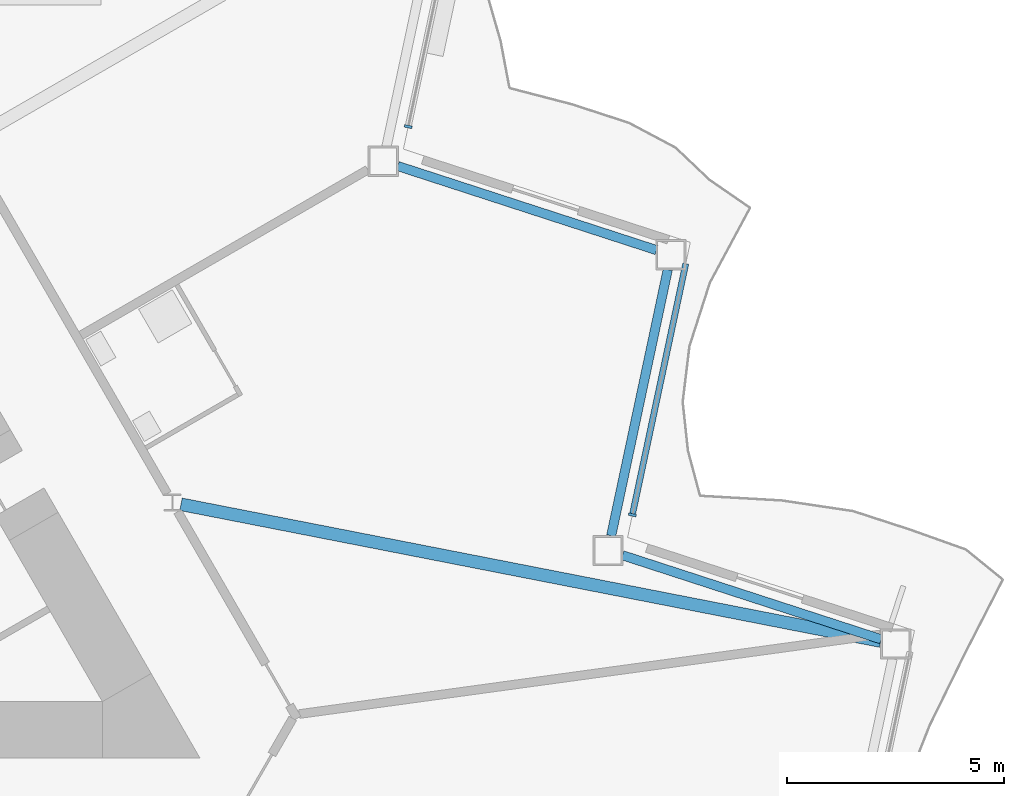
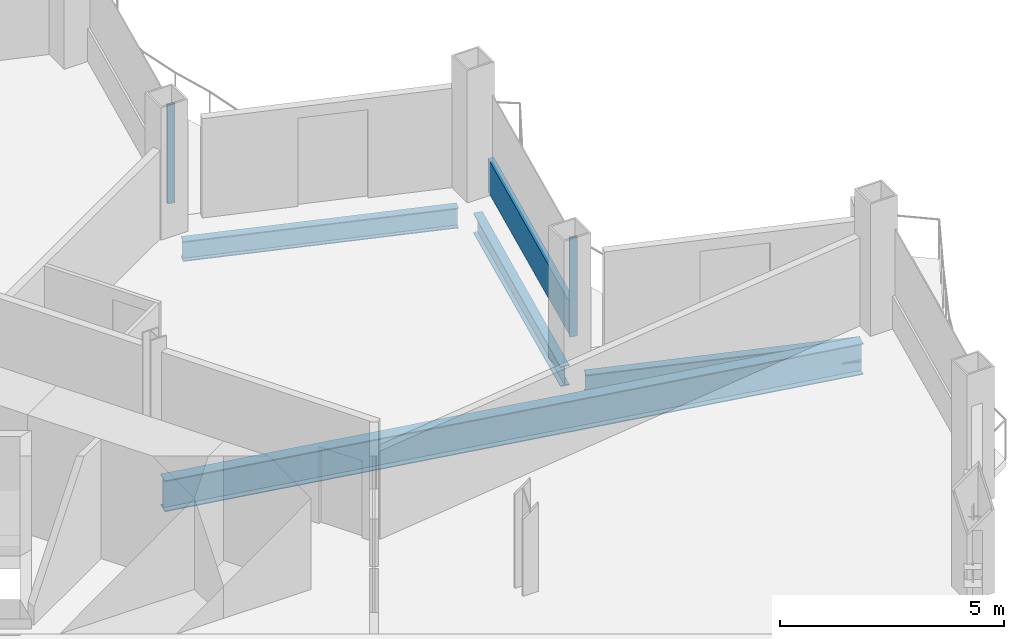
# One storey, part 7 of 23: 4 beams, 3 members, 2 elements without a shape of their own.
"""IFC4 building model written with IfcOpenShell, lengths in metres."""

import ifcopenshell
import ifcopenshell.guid

model = None  # the IFC model being written
_history = None  # IfcOwnerHistory: only IFC2X3 demands one
_inside = {}  # id of a spatial element -> (the spatial element, [elements in it])
_under = {}  # id of a project, library or spatial element -> (it, [spatial elements below it])
_declared = {}  # id of a project -> (the project, [libraries it declares])
_typed = {}  # id of a type object -> (the type object, [elements of that type])
_made_of = {}  # id of a material, layer set ... -> (it, [elements and type objects made of it])


def new_model(schema):
    """Start an empty IFC model of exactly this schema.

    Asked for "IFC4X3", IfcOpenShell would pick the latest addendum, in which some entities
    have other attributes; the version numbers below select the first issue.
    IFC2X3 requires an IfcOwnerHistory on every rooted entity: one is made here for all.
    """
    global model, _history
    if schema == "IFC4X3":
        model = ifcopenshell.file(schema_version=(4, 3, 0, 0))
    else:
        model = ifcopenshell.file(schema=schema)
    _inside.clear()
    _under.clear()
    _declared.clear()
    _typed.clear()
    _made_of.clear()
    _history = None
    if model.schema == "IFC2X3":
        org = make("IfcOrganization", Name="unknown")
        user = make(
            "IfcPersonAndOrganization",
            ThePerson=make("IfcPerson", FamilyName="unknown"),
            TheOrganization=org,
        )
        app = make(
            "IfcApplication",
            ApplicationDeveloper=org,
            Version="unknown",
            ApplicationFullName="unknown",
            ApplicationIdentifier="unknown",
        )
        _history = make(
            "IfcOwnerHistory",
            OwningUser=user,
            OwningApplication=app,
            ChangeAction="ADDED",
            CreationDate=0,
        )
    return model


def make(cls, **values):
    """One entity of the class cls with the attributes given. An attribute that is None is left unset."""
    return model.create_entity(
        cls, **{name: value for name, value in values.items() if value is not None}
    )


def rooted(cls, **values):
    """An entity with a GlobalId (a new one), such as an element, a storey or a relation."""
    return make(cls, GlobalId=ifcopenshell.guid.new(), OwnerHistory=_history, **values)


def si_unit(unit_type, name, prefix=None):
    """IfcSIUnit, for example si_unit("LENGTHUNIT", "METRE", prefix="MILLI")."""
    return make("IfcSIUnit", UnitType=unit_type, Prefix=prefix, Name=name)


def assignment(units):
    """IfcUnitAssignment: the units of a project."""
    return None if units is None else make("IfcUnitAssignment", Units=units)


def point(xyz):
    """IfcCartesianPoint."""
    return None if xyz is None else make("IfcCartesianPoint", Coordinates=xyz)


def direction(xyz):
    """IfcDirection."""
    return None if xyz is None else make("IfcDirection", DirectionRatios=xyz)


def frame(location, z_axis=None, x_axis=None):
    """IfcAxis2Placement3D, a coordinate frame: its origin and axes. An axis left out is left unset."""
    return make(
        "IfcAxis2Placement3D",
        Location=point(location),
        Axis=direction(z_axis),
        RefDirection=direction(x_axis),
    )


def frame_2d(location, x_axis=None):
    """IfcAxis2Placement2D, a coordinate frame in the plane: its origin and x axis."""
    return make(
        "IfcAxis2Placement2D", Location=point(location), RefDirection=direction(x_axis)
    )


def origin():
    """The frame at (0, 0, 0) with its axes left unset."""
    return frame((0.0, 0.0, 0.0))


def origin_2d():
    """The frame at (0, 0) in the plane with its x axis left unset."""
    return frame_2d((0.0, 0.0))


def place(relative_to, where):
    """IfcLocalPlacement: puts the frame where relative to a parent placement (None: the world)."""
    return make(
        "IfcLocalPlacement", PlacementRelTo=relative_to, RelativePlacement=where
    )


def context(
    kind, dimensions, precision=None, world=None, true_north=None, identifier=None
):
    """IfcGeometricRepresentationContext, for example the 3D "Model" context."""
    return make(
        "IfcGeometricRepresentationContext",
        ContextIdentifier=identifier,
        ContextType=kind,
        CoordinateSpaceDimension=dimensions,
        Precision=precision,
        WorldCoordinateSystem=world,
        TrueNorth=true_north,
    )


def subcontext(parent, identifier, kind, view, scale=None):
    """IfcGeometricRepresentationSubContext, for example "Body" below "Model"."""
    return make(
        "IfcGeometricRepresentationSubContext",
        ContextIdentifier=identifier,
        ContextType=kind,
        ParentContext=parent,
        TargetScale=scale,
        TargetView=view,
    )


def project(units=None, contexts=None):
    """IfcProject with its units and contexts."""
    return rooted(
        "IfcProject",
        Name="project",
        RepresentationContexts=contexts,
        UnitsInContext=assignment(units),
    )


def spatial(cls, under=None, at=None, **own):
    """A site, building, storey or space (cls), placed at a placement, below another one or the project."""
    s = rooted(cls, ObjectPlacement=at, **own)
    if under is not None:
        _under.setdefault(under.id(), (under, []))[1].append(s)
    return s


def profile(cls, at=None, kind="AREA", **sizes):
    """A parametric profile (cls). Its sizes go by their IFC names, for example OverallWidth=200.0."""
    return make(cls, ProfileType=kind, Position=at, **sizes)


def rectangle(**sizes):
    """IfcRectangleProfileDef."""
    return profile("IfcRectangleProfileDef", **sizes)


def i_section(**sizes):
    """IfcIShapeProfileDef."""
    return profile("IfcIShapeProfileDef", **sizes)


def extrude(swept, where, along, depth):
    """IfcExtrudedAreaSolid: the profile swept, set in the frame where, extruded along a direction by depth."""
    return make(
        "IfcExtrudedAreaSolid",
        SweptArea=swept,
        Position=where,
        ExtrudedDirection=direction(along),
        Depth=depth,
    )


def shape(context_of_items, identifier, shape_type, items):
    """IfcShapeRepresentation: the items that make up one representation, for example the "Body"."""
    return make(
        "IfcShapeRepresentation",
        ContextOfItems=context_of_items,
        RepresentationIdentifier=identifier,
        RepresentationType=shape_type,
        Items=items,
    )


def material(Name=None, Category=None):
    """IfcMaterial."""
    return make("IfcMaterial", Name=Name, Category=Category)


def layer(
    of_material, thickness, ventilated=None, Name=None, Category=None, Priority=None
):
    """IfcMaterialLayer: one layer of a wall or slab, of a material (None: an air gap)."""
    return make(
        "IfcMaterialLayer",
        Material=of_material,
        LayerThickness=thickness,
        IsVentilated=ventilated,
        Name=Name,
        Category=Category,
        Priority=Priority,
    )


def layer_set(layers, Name=None):
    """IfcMaterialLayerSet."""
    return make("IfcMaterialLayerSet", MaterialLayers=layers, LayerSetName=Name)


def material_profile(
    of_material, cross_section, Name=None, Category=None, Priority=None
):
    """IfcMaterialProfile: a cross section and its material."""
    return make(
        "IfcMaterialProfile",
        Name=Name,
        Material=of_material,
        Profile=cross_section,
        Priority=Priority,
        Category=Category,
    )


def profile_set(profiles, Name=None, composite=None):
    """IfcMaterialProfileSet."""
    return make(
        "IfcMaterialProfileSet",
        Name=Name,
        MaterialProfiles=profiles,
        CompositeProfile=composite,
    )


def made_of(thing, what):
    """Note that an element or type object is made of a material, layer set ...; save() writes the relation."""
    if what is not None:
        _made_of.setdefault(what.id(), (what, []))[1].append(thing)
    return thing


def type_object(cls, material=None, **own):
    """A type object (cls), such as IfcWallType, which elements share."""
    return made_of(rooted(cls, **own), material)


def element(
    cls,
    number,
    at=None,
    inside=None,
    cuts=None,
    type_object=None,
    material=None,
    context=None,
    identifier="Body",
    shape_type=None,
    held_by="IfcProductDefinitionShape",
    body=None,
    shapes=None,
    **own,
):
    """One element of the class cls, such as IfcWall. Its Tag is "e" and its number.

    at: its placement. inside: the storey or other place that contains it. cuts: it is an
    opening in that element (IfcRelVoidsElement). A single representation is given by context,
    identifier, shape_type and body (its items); several are given by shapes. held_by: the class
    of the entity that holds the representations. save() writes the other relations.
    """
    e = rooted(cls, Tag="e%d" % number, ObjectPlacement=at, **own)
    if body is not None:
        shapes = [shape(context, identifier, shape_type, body)]
    if shapes is not None:
        e.Representation = make(held_by, Representations=shapes)
    if inside is not None:
        _inside.setdefault(inside.id(), (inside, []))[1].append(e)
    if cuts is not None:
        rooted(
            "IfcRelVoidsElement", RelatingBuildingElement=cuts, RelatedOpeningElement=e
        )
    if type_object is not None:
        _typed.setdefault(type_object.id(), (type_object, []))[1].append(e)
    return made_of(e, material)


def aggregate(whole, parts):
    """IfcRelAggregates: a whole, such as a stair, and the parts it consists of."""
    return rooted("IfcRelAggregates", RelatingObject=whole, RelatedObjects=parts)


def save(model, path):
    """Write the relations noted so far, then the file.

    IfcRelAggregates (storeys below a building ...), IfcRelContainedInSpatialStructure (elements
    in a storey), IfcRelDefinesByType, IfcRelAssociatesMaterial and IfcRelDeclares: one each for
    every whole, place, type object, material and project.
    """
    for whole, parts in _under.values():
        aggregate(whole, parts)
    for where, things in _inside.values():
        rooted(
            "IfcRelContainedInSpatialStructure",
            RelatedElements=things,
            RelatingStructure=where,
        )
    for kind, things in _typed.values():
        rooted("IfcRelDefinesByType", RelatedObjects=things, RelatingType=kind)
    for what, things in _made_of.values():
        rooted("IfcRelAssociatesMaterial", RelatedObjects=things, RelatingMaterial=what)
    for by, libraries in _declared.values():
        rooted("IfcRelDeclares", RelatingContext=by, RelatedDefinitions=libraries)
    model.write(path)


model = new_model("IFC4")

# Units and contexts
model_context = context("Model", 3, precision=1e-05, world=origin(), true_north=direction((0.0, 1.0)))
body_context = subcontext(model_context, "Body", "Model", "MODEL_VIEW")
ifc_project = project(units=[si_unit("LENGTHUNIT", "METRE"), si_unit("AREAUNIT", "SQUARE_METRE"), si_unit("VOLUMEUNIT", "CUBIC_METRE"), si_unit("PLANEANGLEUNIT", "RADIAN"), si_unit("MASSUNIT", "GRAM", prefix="KILO")], contexts=[model_context])

# Site, building, storey
site_placement = place(None, origin())
site = spatial("IfcSite", under=ifc_project, at=site_placement, CompositionType="ELEMENT")
building_placement = place(site_placement, origin())
building = spatial("IfcBuilding", under=site, at=building_placement, Name="Cormorant Prow Tower", CompositionType="ELEMENT")
storey_placement = place(building_placement, frame((0.0, 0.0, 245.39990234375)))
storey = spatial("IfcBuildingStorey", under=building, at=storey_placement, Name="L54", CompositionType="ELEMENT", Elevation=245.39990234375)

# Curtain wall, member
ifc_material_1 = material(Name="Aluminium 6063-T6", Category="aluminium")
ifc_layer = layer(ifc_material_1, 0.179931640625)
ifc_layer_set = layer_set([ifc_layer], Name="Aluminium 6063-T6")
curtain_wall_type = type_object("IfcCurtainWallType", Name="Hotel unitised curtain wall 180", PredefinedType="NOTDEFINED", material=ifc_layer_set)
curtain_wall_1_placement = place(storey_placement, origin())
curtain_wall_1 = element("IfcCurtainWall", 1, at=curtain_wall_1_placement, inside=storey, type_object=curtain_wall_type, Name="Hotel curtain wall ENE02", PredefinedType="NOTDEFINED")
ifc_material_2 = material(Name="Aluminium 6063-T6", Category="aluminium")
ifc_material_profile_1 = material_profile(ifc_material_2, rectangle(XDim=0.179931640625, YDim=0.06005859375, at=origin_2d()), Name="Hotel mullion 60x180")
ifc_profile_set_1 = profile_set([ifc_material_profile_1], Name="Aluminium 6063-T6")
member_type_1 = type_object("IfcMemberType", Name="Hotel mullion 60x180", PredefinedType="MULLION", material=ifc_profile_set_1)
member_1_placement = place(storey_placement, frame((24.985107421875, -3.04833984375, 0.0), z_axis=(0.0, 0.0, 1.0), x_axis=(-0.978147605727, 0.207911667327, 0.0)))
member_1 = element("IfcMember", 2, at=member_1_placement, type_object=member_type_1, Name="Hotel mullion ENE02", PredefinedType="MULLION", context=body_context, shape_type="SweptSolid", body=[
    extrude(rectangle(XDim=0.179931640625, YDim=0.06005859375, at=origin_2d()), origin(), (0.0, 0.0, 1.0), 2.700927734375),
])

curtain_wall_2_placement = place(storey_placement, origin())
curtain_wall_2 = element("IfcCurtainWall", 3, at=curtain_wall_2_placement, inside=storey, type_object=curtain_wall_type, Name="Hotel curtain wall ENE04", PredefinedType="NOTDEFINED")
member_2_placement = place(storey_placement, frame((19.809326171875, 5.916259765625, 0.0), z_axis=(0.0, 0.0, 1.0), x_axis=(-0.978147605727, 0.207911667327, 0.0)))
member_2 = element("IfcMember", 4, at=member_2_placement, type_object=member_type_1, Name="Hotel mullion ENE04", PredefinedType="MULLION", context=body_context, shape_type="SweptSolid", body=[
    extrude(rectangle(XDim=0.179931640625, YDim=0.06005859375, at=origin_2d()), origin(), (0.0, 0.0, 1.0), 2.700927734375),
])
aggregate(curtain_wall_2, [member_2])

# Member
ifc_material_3 = material(Name="Terracotta", Category="masonry")
ifc_material_profile_2 = material_profile(ifc_material_3, rectangle(XDim=0.139892578125, YDim=0.89990234375, at=origin_2d()), Name="Hotel terracotta spandrel rail 140x900")
ifc_profile_set_2 = profile_set([ifc_material_profile_2], Name="Terracotta")
member_type_2 = type_object("IfcMemberType", Name="Hotel terracotta spandrel rail 140x900", PredefinedType="USERDEFINED", material=ifc_profile_set_2)
member_3_placement = place(storey_placement, frame((24.9912109375, -3.01904296875, 0.4501953125), z_axis=(0.207921579045, 0.978145498874, 0.0), x_axis=(-0.978145498874, 0.207921579045, 0.0)))
member_3 = element("IfcMember", 5, at=member_3_placement, type_object=member_type_2, Name="Hotel spandrel rail ENE02", ObjectType="TRANSOM", PredefinedType="USERDEFINED", context=body_context, shape_type="SweptSolid", body=[
    extrude(rectangle(XDim=0.139892578125, YDim=0.89990234375, at=origin_2d()), origin(), (0.0, 0.0, 1.0), 5.902587890625),
])

aggregate(curtain_wall_1, [member_1, member_3])

# Beams
ifc_material_4 = material(Name="Structural steel ASTM A992 Gr 50", Category="steel")
ifc_material_profile_3 = material_profile(ifc_material_4, i_section(OverallWidth=0.29296875, OverallDepth=0.845703125, WebThickness=0.015380859375, FlangeThickness=0.0244140625, at=origin_2d()), Name="W33x141")
ifc_profile_set_3 = profile_set([ifc_material_profile_3], Name="Structural steel ASTM A992 Gr 50")
beam_type_1 = type_object("IfcBeamType", Name="Radial floor beam W33x141", PredefinedType="BEAM", material=ifc_profile_set_3)
beam_placement = place(storey_placement, frame((14.5634765625, -2.80322265625, -0.772705078125), z_axis=(0.981419133752, -0.191876220269, 0.0), x_axis=(0.191876220269, 0.981419133752, 0.0)))
element("IfcBeam", 6, at=beam_placement, inside=storey, type_object=beam_type_1, Name="Radial floor beam FB2 10 L54", PredefinedType="BEAM", context=body_context, shape_type="SweptSolid", body=[
    extrude(i_section(OverallWidth=0.29296875, OverallDepth=0.845703125, WebThickness=0.015380859375, FlangeThickness=0.0244140625, at=origin_2d()), origin(), (0.0, 0.0, 1.0), 16.462158203125),
])
ifc_material_5 = material(Name="Structural steel ASTM A992 Gr 50", Category="steel")
ifc_material_profile_4 = material_profile(ifc_material_5, i_section(OverallWidth=0.2138671875, OverallDepth=0.549072265625, WebThickness=0.0146484375, FlangeThickness=0.023681640625, at=origin_2d()), Name="W21x93")
ifc_profile_set_4 = profile_set([ifc_material_profile_4], Name="Structural steel ASTM A992 Gr 50")
beam_type_2 = type_object("IfcBeamType", Name="Spandrel beam W21x93", PredefinedType="SPANDREL", material=ifc_profile_set_4)
for number, where, z_axis, x_axis, name in (
    (7, (30.730224609375, -5.9208984375, -0.62451171875), (-0.951061771288, 0.309000820701, 0.0), (-0.309000820701, -0.951061771288, 0.0), "Spandrel beam SB2 ENE01-ENE02 L54"),
    (8, (24.49609375, -3.529296875, -0.62451171875), (0.207941499013, 0.978141264331, 0.0), (-0.978141264331, 0.207941499013, 0.0), "Spandrel beam SB2 ENE02-ENE03 L54"),
    (9, (25.5419921875, 3.0654296875, -0.62451171875), (-0.951061771288, 0.309000820701, 0.0), (-0.309000820701, -0.951061771288, 0.0), "Spandrel beam SB2 ENE03-ENE04 L54"),
):
    element("IfcBeam", number, at=place(storey_placement, frame(where, z_axis=z_axis, x_axis=x_axis)), inside=storey, type_object=beam_type_2, Name=name, PredefinedType="SPANDREL", context=body_context, shape_type="SweptSolid", body=[
        extrude(i_section(OverallWidth=0.2138671875, OverallDepth=0.549072265625, WebThickness=0.0146484375, FlangeThickness=0.023681640625, at=origin_2d()), origin(), (0.0, 0.0, 1.0), 6.28125),
    ])

save(model, "model.ifc")
